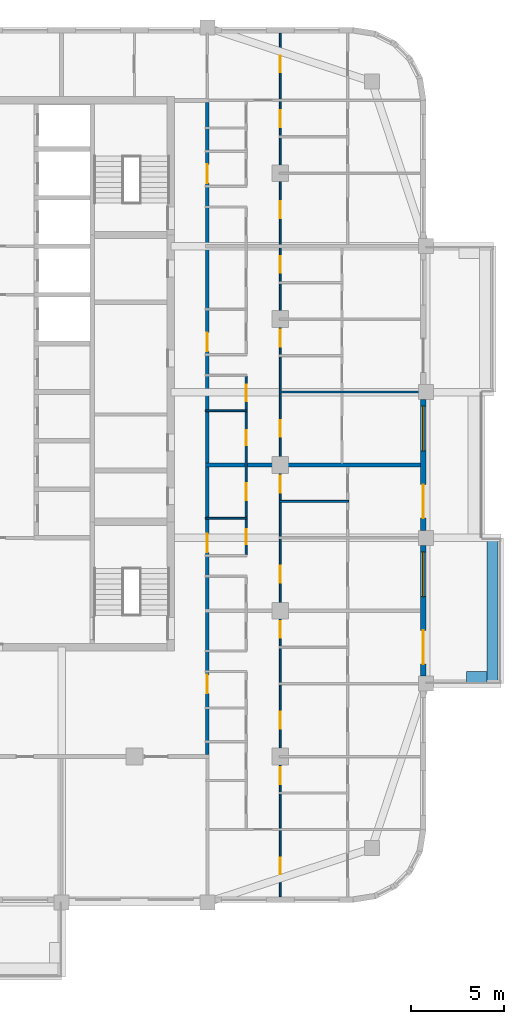
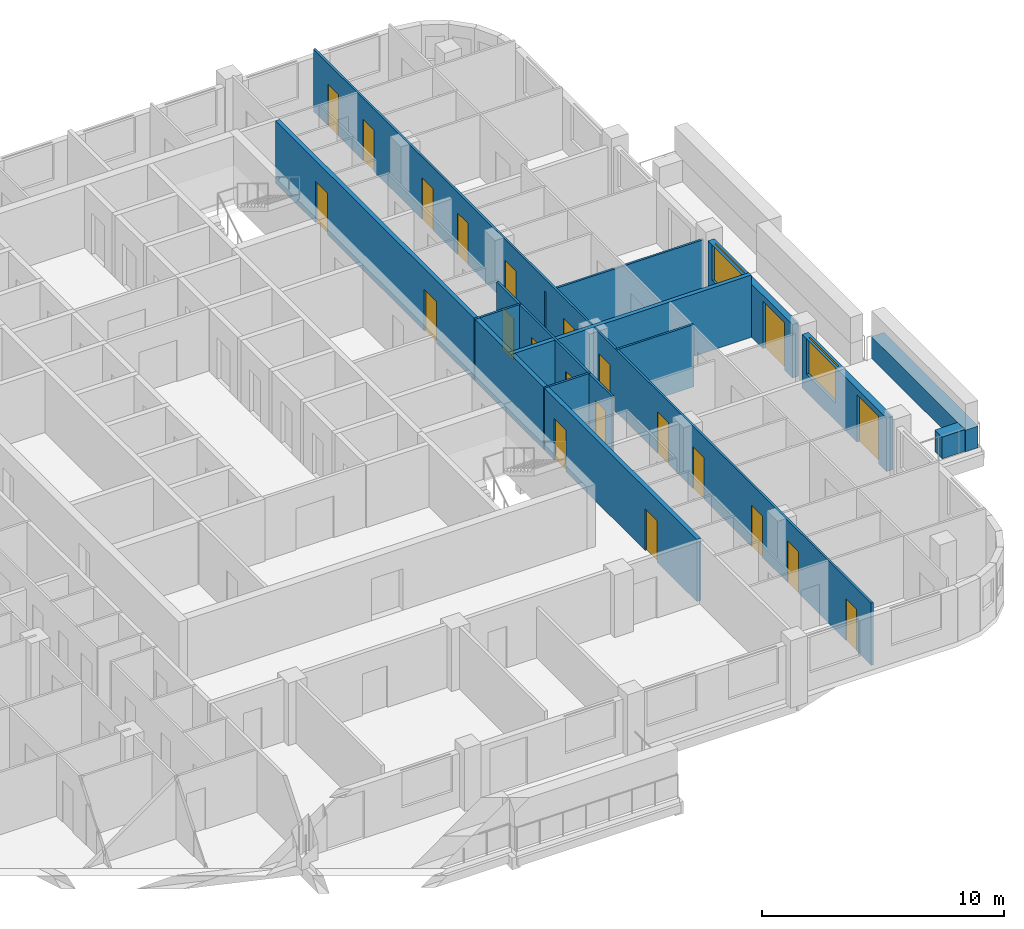
# One storey, part 7 of 16: 22 doors, 12 walls, 2 windows, 24 openings.
"""IFC4 building model written with IfcOpenShell, lengths in metres."""

from ifc_helpers import new_model, si_unit, direction, frame, frame_2d, origin, place, context, subcontext, project, spatial, rectangle, extrude, material, layer, layer_set, type_object, element, fill, save


model = new_model("IFC4")

# Units and contexts
model_context = context("Model", 3, precision=1e-05, world=origin(), true_north=direction((0.0, 1.0)))
body_context = subcontext(model_context, "Body", "Model", "MODEL_VIEW")
ifc_project = project(units=[si_unit("LENGTHUNIT", "METRE"), si_unit("AREAUNIT", "SQUARE_METRE"), si_unit("VOLUMEUNIT", "CUBIC_METRE"), si_unit("PLANEANGLEUNIT", "RADIAN"), si_unit("MASSUNIT", "GRAM", prefix="KILO")], contexts=[model_context])

# Site, building, storey
site_placement = place(None, origin())
site = spatial("IfcSite", under=ifc_project, at=site_placement, CompositionType="ELEMENT")
building_placement = place(site_placement, origin())
building = spatial("IfcBuilding", under=site, at=building_placement, Name="Ludao Terraces", CompositionType="ELEMENT")
storey_placement = place(building_placement, frame((0.0, 0.0, 217.699951171875)))
storey = spatial("IfcBuildingStorey", under=building, at=storey_placement, Name="L59", CompositionType="ELEMENT", Elevation=217.699951171875)

# Walls
ifc_material_1 = material(Name="Concrete C40", Category="concrete")
ifc_layer_1 = layer(ifc_material_1, 0.60009765625)
ifc_layer_set_1 = layer_set([ifc_layer_1], Name="ENV Planter trough 600")
wall_type_1 = type_object("IfcWallType", Name="ENV Planter trough 600", PredefinedType="USERDEFINED", material=ifc_layer_set_1)
wall_1_placement = place(storey_placement, frame((111.949951171875, 53.300048828125, 0.0), z_axis=(0.0, 0.0, 1.0), x_axis=(0.0, 1.0, 0.0)))
element("IfcWall", 1, at=wall_1_placement, inside=storey, type_object=wall_type_1, Name="PL-L59-E1", ObjectType="PLANTER", PredefinedType="USERDEFINED", context=body_context, shape_type="SweptSolid", body=[
    extrude(rectangle(XDim=7.800048828125, YDim=0.60009765625, at=frame_2d((3.89990234375, 0.0))), origin(), (0.0, 0.0, 1.0), 1.10009765625),
])
wall_2_placement = place(storey_placement, frame((111.64990234375, 53.64990234375, 0.0), z_axis=(0.0, 0.0, 1.0), x_axis=(-1.0, 0.0, 0.0)))
element("IfcWall", 2, at=wall_2_placement, inside=storey, type_object=wall_type_1, Name="PL-L59-E1-SA", ObjectType="PLANTER", PredefinedType="USERDEFINED", context=body_context, shape_type="SweptSolid", body=[
    extrude(rectangle(XDim=1.099853515625, YDim=0.60009765625, at=frame_2d((0.5498046875, 0.0))), origin(), (0.0, 0.0, 1.0), 1.10009765625),
])

# Wall, openings, door, window
ifc_material_2 = material(Name="Granite cladding", Category="masonry")
ifc_layer_2 = layer(ifc_material_2, 0.0400390625, Category="stone")
ifc_material_3 = material(Name="Mineral wool")
ifc_layer_3 = layer(ifc_material_3, 0.06005859375)
ifc_layer_4 = layer(ifc_material_1, 0.199951171875, Category="concrete")
ifc_layer_set_2 = layer_set([ifc_layer_2, ifc_layer_3, ifc_layer_4], Name="ENV Stone-clad wall 300")
wall_type_2 = type_object("IfcWallType", Name="ENV Stone-clad wall 300", PredefinedType="SOLIDWALL", material=ifc_layer_set_2)
wall_3_placement = place(storey_placement, frame((108.25, 53.699951171875, 0.0), z_axis=(0.0, 0.0, 1.0), x_axis=(0.0, 1.0, 0.0)))
wall_3 = element("IfcWall", 3, at=wall_3_placement, inside=storey, type_object=wall_type_2, Name="EW-L59-E2", PredefinedType="SOLIDWALL", context=body_context, shape_type="SweptSolid", body=[
    extrude(rectangle(XDim=7.0, YDim=0.300048828125, at=frame_2d((3.5, 0.0))), origin(), (0.0, 0.0, 1.0), 2.699951171875),
])
opening_1_placement = place(wall_3_placement, frame((0.64990234375, 0.0, 0.0)))
opening_1 = element("IfcOpeningElement", 4, at=opening_1_placement, cuts=wall_3, Name="Opening BD", PredefinedType="OPENING", context=body_context, shape_type="SweptSolid", body=[
    extrude(rectangle(XDim=1.800048828125, YDim=2.39990234375, at=frame_2d((0.89990234375, 1.199951171875))), frame((0.0, 0.16015625, 0.0), z_axis=(0.0, -1.0, 0.0), x_axis=(1.0, 0.0, 0.0)), (0.0, 0.0, 1.0), 0.320068359375),
])
opening_2_placement = place(wall_3_placement, frame((4.25, 0.0, 0.89990234375)))
opening_2 = element("IfcOpeningElement", 5, at=opening_2_placement, cuts=wall_3, Name="Opening W1", PredefinedType="OPENING", context=body_context, shape_type="SweptSolid", body=[
    extrude(rectangle(XDim=2.39990234375, YDim=1.800048828125, at=frame_2d((1.199951171875, 0.89990234375))), frame((0.0, 0.16015625, 0.0), z_axis=(0.0, -1.0, 0.0), x_axis=(1.0, 0.0, 0.0)), (0.0, 0.0, 1.0), 0.320068359375),
])
ifc_material_4 = material(Name="Aluminium glazed door", Category="aluminium")
ifc_layer_5 = layer(ifc_material_4, 0.06005859375)
ifc_layer_set_3 = layer_set([ifc_layer_5], Name="ENV Balcony door BD 1800x2400")
door_type_1 = type_object("IfcDoorType", Name="ENV Balcony door BD 1800x2400", OperationType="DOUBLE_DOOR_SINGLE_SWING", PredefinedType="DOOR", material=ifc_layer_set_3)
door_1_placement = place(opening_1_placement, origin())
door_1 = element("IfcDoor", 6, at=door_1_placement, inside=storey, type_object=door_type_1, Name="BD-L59-E2-1", OperationType="DOUBLE_DOOR_SINGLE_SWING", OverallHeight=2.39990234375, OverallWidth=1.800048828125, PredefinedType="DOOR", context=body_context, shape_type="SweptSolid", body=[
    extrude(rectangle(XDim=1.800048828125, YDim=2.39990234375, at=frame_2d((0.89990234375, 1.199951171875))), frame((0.0, 0.02490234375, 0.0), z_axis=(0.0, -1.0, 0.0), x_axis=(1.0, 0.0, 0.0)), (0.0, 0.0, 1.0), 0.050048828125),
])
fill(opening_1, door_1)
ifc_material_5 = material(Name="Clear glass in aluminium frame", Category="aluminium")
ifc_layer_6 = layer(ifc_material_5, 0.06005859375)
ifc_layer_set_4 = layer_set([ifc_layer_6], Name="ENV Window W1 2400x1800")
window_type = type_object("IfcWindowType", Name="ENV Window W1 2400x1800", PartitioningType="DOUBLE_PANEL_VERTICAL", PredefinedType="WINDOW", material=ifc_layer_set_4)
window_1_placement = place(opening_2_placement, origin())
window_1 = element("IfcWindow", 7, at=window_1_placement, inside=storey, type_object=window_type, Name="W-L59-E2-2", OverallHeight=1.800048828125, OverallWidth=2.39990234375, PartitioningType="DOUBLE_PANEL_VERTICAL", PredefinedType="WINDOW", context=body_context, shape_type="SweptSolid", body=[
    extrude(rectangle(XDim=2.39990234375, YDim=1.800048828125, at=frame_2d((1.199951171875, 0.89990234375))), frame((0.0, 0.030029296875, 0.0), z_axis=(0.0, -1.0, 0.0), x_axis=(1.0, 0.0, 0.0)), (0.0, 0.0, 1.0), 0.06005859375),
])
fill(opening_2, window_1)

wall_4_placement = place(storey_placement, frame((108.25, 61.5, 0.0), z_axis=(0.0, 0.0, 1.0), x_axis=(0.0, 1.0, 0.0)))
wall_4 = element("IfcWall", 8, at=wall_4_placement, inside=storey, type_object=wall_type_2, Name="EW-L59-E3", PredefinedType="SOLIDWALL", context=body_context, shape_type="SweptSolid", body=[
    extrude(rectangle(XDim=7.0, YDim=0.300048828125, at=frame_2d((3.5, 0.0))), origin(), (0.0, 0.0, 1.0), 2.699951171875),
])
opening_3_placement = place(wall_4_placement, frame((0.64990234375, 0.0, 0.0)))
opening_3 = element("IfcOpeningElement", 9, at=opening_3_placement, cuts=wall_4, Name="Opening BD", PredefinedType="OPENING", context=body_context, shape_type="SweptSolid", body=[
    extrude(rectangle(XDim=1.800048828125, YDim=2.39990234375, at=frame_2d((0.89990234375, 1.199951171875))), frame((0.0, 0.16015625, 0.0), z_axis=(0.0, -1.0, 0.0), x_axis=(1.0, 0.0, 0.0)), (0.0, 0.0, 1.0), 0.320068359375),
])
opening_4_placement = place(wall_4_placement, frame((4.25, 0.0, 0.89990234375)))
opening_4 = element("IfcOpeningElement", 10, at=opening_4_placement, cuts=wall_4, Name="Opening W1", PredefinedType="OPENING", context=body_context, shape_type="SweptSolid", body=[
    extrude(rectangle(XDim=2.39990234375, YDim=1.800048828125, at=frame_2d((1.199951171875, 0.89990234375))), frame((0.0, 0.16015625, 0.0), z_axis=(0.0, -1.0, 0.0), x_axis=(1.0, 0.0, 0.0)), (0.0, 0.0, 1.0), 0.320068359375),
])
door_2_placement = place(opening_3_placement, origin())
door_2 = element("IfcDoor", 11, at=door_2_placement, inside=storey, type_object=door_type_1, Name="BD-L59-E3-1", OperationType="DOUBLE_DOOR_SINGLE_SWING", OverallHeight=2.39990234375, OverallWidth=1.800048828125, PredefinedType="DOOR", context=body_context, shape_type="SweptSolid", body=[
    extrude(rectangle(XDim=1.800048828125, YDim=2.39990234375, at=frame_2d((0.89990234375, 1.199951171875))), frame((0.0, 0.02490234375, 0.0), z_axis=(0.0, -1.0, 0.0), x_axis=(1.0, 0.0, 0.0)), (0.0, 0.0, 1.0), 0.050048828125),
])
fill(opening_3, door_2)
window_2_placement = place(opening_4_placement, origin())
window_2 = element("IfcWindow", 12, at=window_2_placement, inside=storey, type_object=window_type, Name="W-L59-E3-2", OverallHeight=1.800048828125, OverallWidth=2.39990234375, PartitioningType="DOUBLE_PANEL_VERTICAL", PredefinedType="WINDOW", context=body_context, shape_type="SweptSolid", body=[
    extrude(rectangle(XDim=2.39990234375, YDim=1.800048828125, at=frame_2d((1.199951171875, 0.89990234375))), frame((0.0, 0.030029296875, 0.0), z_axis=(0.0, -1.0, 0.0), x_axis=(1.0, 0.0, 0.0)), (0.0, 0.0, 1.0), 0.06005859375),
])
fill(opening_4, window_2)

# Wall, openings, doors
ifc_material_6 = material(Name="Autoclaved aerated concrete block B06 A3.5", Category="concrete")
ifc_layer_7 = layer(ifc_material_6, 0.199951171875)
ifc_layer_set_5 = layer_set([ifc_layer_7], Name="INT Entrance wall 200")
wall_type_3 = type_object("IfcWallType", Name="INT Entrance wall 200", PredefinedType="PARTITIONING", material=ifc_layer_set_5)
wall_5_placement = place(storey_placement, frame((96.699951171875, 49.5, 0.0), z_axis=(0.0, 0.0, 1.0), x_axis=(0.0, 1.0, 0.0)))
wall_5 = element("IfcWall", 13, at=wall_5_placement, inside=storey, type_object=wall_type_3, Name="PW-L59-PW090", PredefinedType="PARTITIONING", context=body_context, shape_type="SweptSolid", body=[
    extrude(rectangle(XDim=34.900146484375, YDim=0.199951171875, at=frame_2d((17.4501953125, 0.0))), origin(), (0.0, 0.0, 1.0), 3.150146484375),
])
opening_5_placement = place(wall_5_placement, frame((3.275146484375, 0.0, 0.0)))
opening_5 = element("IfcOpeningElement", 14, at=opening_5_placement, cuts=wall_5, Name="Opening R21-028", PredefinedType="OPENING", context=body_context, shape_type="SweptSolid", body=[
    extrude(rectangle(XDim=1.0, YDim=2.10009765625, at=frame_2d((0.5, 1.050048828125))), frame((0.0, 0.10986328125, 0.0), z_axis=(0.0, -1.0, 0.0), x_axis=(1.0, 0.0, 0.0)), (0.0, 0.0, 1.0), 0.219970703125),
])
opening_6_placement = place(wall_5_placement, frame((10.8251953125, 0.0, 0.0)))
opening_6 = element("IfcOpeningElement", 15, at=opening_6_placement, cuts=wall_5, Name="Opening R21-049", PredefinedType="OPENING", context=body_context, shape_type="SweptSolid", body=[
    extrude(rectangle(XDim=1.0, YDim=2.10009765625, at=frame_2d((0.5, 1.050048828125))), frame((0.0, 0.10986328125, 0.0), z_axis=(0.0, -1.0, 0.0), x_axis=(1.0, 0.0, 0.0)), (0.0, 0.0, 1.0), 0.219970703125),
])
opening_7_placement = place(wall_5_placement, frame((21.5751953125, 0.0, 0.0)))
opening_7 = element("IfcOpeningElement", 16, at=opening_7_placement, cuts=wall_5, Name="Opening R21-083", PredefinedType="OPENING", context=body_context, shape_type="SweptSolid", body=[
    extrude(rectangle(XDim=1.0, YDim=2.10009765625, at=frame_2d((0.5, 1.050048828125))), frame((0.0, 0.10986328125, 0.0), z_axis=(0.0, -1.0, 0.0), x_axis=(1.0, 0.0, 0.0)), (0.0, 0.0, 1.0), 0.219970703125),
])
opening_8_placement = place(wall_5_placement, frame((30.5751953125, 0.0, 0.0)))
opening_8 = element("IfcOpeningElement", 17, at=opening_8_placement, cuts=wall_5, Name="Opening R21-118", PredefinedType="OPENING", context=body_context, shape_type="SweptSolid", body=[
    extrude(rectangle(XDim=1.0, YDim=2.10009765625, at=frame_2d((0.5, 1.050048828125))), frame((0.0, 0.10986328125, 0.0), z_axis=(0.0, -1.0, 0.0), x_axis=(1.0, 0.0, 0.0)), (0.0, 0.0, 1.0), 0.219970703125),
])
ifc_material_7 = material(Name="Steel Q235", Category="steel")
door_type_2 = type_object("IfcDoorType", Name="INT Flat entrance door 1000", OperationType="SINGLE_SWING_LEFT", PredefinedType="DOOR", material=ifc_material_7)
door_3_placement = place(opening_5_placement, origin())
door_3 = element("IfcDoor", 18, at=door_3_placement, inside=storey, type_object=door_type_2, Name="DOOR 028", OperationType="SINGLE_SWING_RIGHT", OverallHeight=2.10009765625, OverallWidth=1.0, PredefinedType="DOOR", context=body_context, shape_type="SweptSolid", body=[
    extrude(rectangle(XDim=1.0, YDim=2.10009765625, at=frame_2d((0.5, 1.050048828125))), frame((0.0, 0.02490234375, 0.0), z_axis=(0.0, -1.0, 0.0), x_axis=(1.0, 0.0, 0.0)), (0.0, 0.0, 1.0), 0.050048828125),
])
fill(opening_5, door_3)
door_4_placement = place(opening_6_placement, origin())
door_4 = element("IfcDoor", 19, at=door_4_placement, inside=storey, type_object=door_type_2, Name="DOOR 049", OperationType="SINGLE_SWING_LEFT", OverallHeight=2.10009765625, OverallWidth=1.0, PredefinedType="DOOR", context=body_context, shape_type="SweptSolid", body=[
    extrude(rectangle(XDim=1.0, YDim=2.10009765625, at=frame_2d((0.5, 1.050048828125))), frame((0.0, 0.02490234375, 0.0), z_axis=(0.0, -1.0, 0.0), x_axis=(1.0, 0.0, 0.0)), (0.0, 0.0, 1.0), 0.050048828125),
])
fill(opening_6, door_4)
door_5_placement = place(opening_7_placement, origin())
door_5 = element("IfcDoor", 20, at=door_5_placement, inside=storey, type_object=door_type_2, Name="DOOR 083", OperationType="SINGLE_SWING_LEFT", OverallHeight=2.10009765625, OverallWidth=1.0, PredefinedType="DOOR", context=body_context, shape_type="SweptSolid", body=[
    extrude(rectangle(XDim=1.0, YDim=2.10009765625, at=frame_2d((0.5, 1.050048828125))), frame((0.0, 0.02490234375, 0.0), z_axis=(0.0, -1.0, 0.0), x_axis=(1.0, 0.0, 0.0)), (0.0, 0.0, 1.0), 0.050048828125),
])
fill(opening_7, door_5)
door_6_placement = place(opening_8_placement, origin())
door_6 = element("IfcDoor", 21, at=door_6_placement, inside=storey, type_object=door_type_2, Name="DOOR 118", OperationType="SINGLE_SWING_LEFT", OverallHeight=2.10009765625, OverallWidth=1.0, PredefinedType="DOOR", context=body_context, shape_type="SweptSolid", body=[
    extrude(rectangle(XDim=1.0, YDim=2.10009765625, at=frame_2d((0.5, 1.050048828125))), frame((0.0, 0.02490234375, 0.0), z_axis=(0.0, -1.0, 0.0), x_axis=(1.0, 0.0, 0.0)), (0.0, 0.0, 1.0), 0.050048828125),
])
fill(opening_8, door_6)

# Walls
ifc_material_8 = material(Name="Gypsum plasterboard", Category="gypsum")
ifc_layer_8 = layer(ifc_material_8, 0.012451171875, Category="gypsum")
ifc_layer_9 = layer(ifc_material_3, 0.06005859375, Name="insulation")
ifc_layer_10 = layer(ifc_material_7, 0.014892578125, Name="stud")
ifc_layer_11 = layer(ifc_material_8, 0.012451171875, Category="gypsum")
ifc_layer_set_6 = layer_set([ifc_layer_8, ifc_layer_9, ifc_layer_10, ifc_layer_11], Name="INT Partition 100")
wall_type_4 = type_object("IfcWallType", Name="INT Partition 100", PredefinedType="PARTITIONING", material=ifc_layer_set_6)
wall_6_placement = place(storey_placement, frame((96.60009765625, 62.14990234375, 0.0), z_axis=(0.0, 0.0, 1.0), x_axis=(1.0, 0.0, 0.0)))
element("IfcWall", 22, at=wall_6_placement, inside=storey, type_object=wall_type_4, Name="PW-L59-PW029", PredefinedType="PARTITIONING", context=body_context, shape_type="SweptSolid", body=[
    extrude(rectangle(XDim=2.219970703125, YDim=0.10009765625, at=frame_2d((1.10986328125, 0.0))), origin(), (0.0, 0.0, 1.0), 3.150146484375),
])
wall_7_placement = place(storey_placement, frame((100.550048828125, 63.050048828125, 0.0), z_axis=(0.0, 0.0, 1.0), x_axis=(1.0, 0.0, 0.0)))
element("IfcWall", 23, at=wall_7_placement, inside=storey, type_object=wall_type_4, Name="PW-L59-PW030", PredefinedType="PARTITIONING", context=body_context, shape_type="SweptSolid", body=[
    extrude(rectangle(XDim=3.699951171875, YDim=0.10009765625, at=frame_2d((1.85009765625, 0.0))), origin(), (0.0, 0.0, 1.0), 3.150146484375),
])
wall_8_placement = place(storey_placement, frame((96.60009765625, 67.89990234375, 0.0), z_axis=(0.0, 0.0, 1.0), x_axis=(1.0, 0.0, 0.0)))
element("IfcWall", 24, at=wall_8_placement, inside=storey, type_object=wall_type_4, Name="PW-L59-PW036", PredefinedType="PARTITIONING", context=body_context, shape_type="SweptSolid", body=[
    extrude(rectangle(XDim=2.219970703125, YDim=0.10009765625, at=frame_2d((1.10986328125, 0.0))), origin(), (0.0, 0.0, 1.0), 3.150146484375),
])
wall_9_placement = place(storey_placement, frame((100.550048828125, 68.89990234375, 0.0), z_axis=(0.0, 0.0, 1.0), x_axis=(1.0, 0.0, 0.0)))
element("IfcWall", 25, at=wall_9_placement, inside=storey, type_object=wall_type_4, Name="PW-L59-PW039", PredefinedType="PARTITIONING", context=body_context, shape_type="SweptSolid", body=[
    extrude(rectangle(XDim=7.550048828125, YDim=0.10009765625, at=frame_2d((3.77490234375, 0.0))), origin(), (0.0, 0.0, 1.0), 2.550048828125),
])

# Wall, openings, doors
wall_10_placement = place(storey_placement, frame((98.77001953125, 60.2001953125, 0.0), z_axis=(0.0, 0.0, 1.0), x_axis=(0.0, 1.0, 0.0)))
wall_10 = element("IfcWall", 26, at=wall_10_placement, inside=storey, type_object=wall_type_4, Name="PW-L59-PW094", PredefinedType="PARTITIONING", context=body_context, shape_type="SweptSolid", body=[
    extrude(rectangle(XDim=9.5498046875, YDim=0.10009765625, at=frame_2d((4.77490234375, 0.0))), origin(), (0.0, 0.0, 1.0), 3.150146484375),
])
opening_9_placement = place(wall_10_placement, frame((0.5498046875, 0.0, 0.0)))
opening_9 = element("IfcOpeningElement", 27, at=opening_9_placement, cuts=wall_10, Name="Opening R21-051", PredefinedType="OPENING", context=body_context, shape_type="SweptSolid", body=[
    extrude(rectangle(XDim=0.800048828125, YDim=2.10009765625, at=frame_2d((0.39990234375, 1.050048828125))), frame((0.0, 0.06005859375, 0.0), z_axis=(0.0, -1.0, 0.0), x_axis=(1.0, 0.0, 0.0)), (0.0, 0.0, 1.0), 0.1201171875),
])
opening_10_placement = place(wall_10_placement, frame((2.9248046875, 0.0, 0.0)))
opening_10 = element("IfcOpeningElement", 28, at=opening_10_placement, cuts=wall_10, Name="Opening R21-060", PredefinedType="OPENING", context=body_context, shape_type="SweptSolid", body=[
    extrude(rectangle(XDim=0.89990234375, YDim=2.10009765625, at=frame_2d((0.449951171875, 1.050048828125))), frame((0.0, 0.06005859375, 0.0), z_axis=(0.0, -1.0, 0.0), x_axis=(1.0, 0.0, 0.0)), (0.0, 0.0, 1.0), 0.1201171875),
])
opening_11_placement = place(wall_10_placement, frame((5.849853515625, 0.0, 0.0)))
opening_11 = element("IfcOpeningElement", 29, at=opening_11_placement, cuts=wall_10, Name="Opening R21-067", PredefinedType="OPENING", context=body_context, shape_type="SweptSolid", body=[
    extrude(rectangle(XDim=0.800048828125, YDim=2.10009765625, at=frame_2d((0.39990234375, 1.050048828125))), frame((0.0, 0.06005859375, 0.0), z_axis=(0.0, -1.0, 0.0), x_axis=(1.0, 0.0, 0.0)), (0.0, 0.0, 1.0), 0.1201171875),
])
opening_12_placement = place(wall_10_placement, frame((8.199951171875, 0.0, 0.0)))
opening_12 = element("IfcOpeningElement", 30, at=opening_12_placement, cuts=wall_10, Name="Opening R21-074", PredefinedType="OPENING", context=body_context, shape_type="SweptSolid", body=[
    extrude(rectangle(XDim=0.89990234375, YDim=2.10009765625, at=frame_2d((0.449951171875, 1.050048828125))), frame((0.0, 0.06005859375, 0.0), z_axis=(0.0, -1.0, 0.0), x_axis=(1.0, 0.0, 0.0)), (0.0, 0.0, 1.0), 0.1201171875),
])
ifc_material_9 = material(Name="Timber door leaf", Category="wood")
door_type_3 = type_object("IfcDoorType", Name="INT Bathroom door 900", OperationType="SINGLE_SWING_LEFT", PredefinedType="DOOR", material=ifc_material_9)
door_7_placement = place(opening_12_placement, origin())
door_7 = element("IfcDoor", 31, at=door_7_placement, inside=storey, type_object=door_type_3, Name="DOOR 074", OperationType="SINGLE_SWING_LEFT", OverallHeight=2.10009765625, OverallWidth=0.89990234375, PredefinedType="DOOR", context=body_context, shape_type="SweptSolid", body=[
    extrude(rectangle(XDim=0.89990234375, YDim=2.10009765625, at=frame_2d((0.449951171875, 1.050048828125))), frame((0.0, 0.02490234375, 0.0), z_axis=(0.0, -1.0, 0.0), x_axis=(1.0, 0.0, 0.0)), (0.0, 0.0, 1.0), 0.050048828125),
])
fill(opening_12, door_7)
door_type_4 = type_object("IfcDoorType", Name="INT Room door 900", OperationType="SINGLE_SWING_LEFT", PredefinedType="DOOR", material=ifc_material_9)
door_8_placement = place(opening_10_placement, origin())
door_8 = element("IfcDoor", 32, at=door_8_placement, inside=storey, type_object=door_type_4, Name="DOOR 060", OperationType="SINGLE_SWING_LEFT", OverallHeight=2.10009765625, OverallWidth=0.89990234375, PredefinedType="DOOR", context=body_context, shape_type="SweptSolid", body=[
    extrude(rectangle(XDim=0.89990234375, YDim=2.10009765625, at=frame_2d((0.449951171875, 1.050048828125))), frame((0.0, 0.02490234375, 0.0), z_axis=(0.0, -1.0, 0.0), x_axis=(1.0, 0.0, 0.0)), (0.0, 0.0, 1.0), 0.050048828125),
])
fill(opening_10, door_8)
door_type_5 = type_object("IfcDoorType", Name="INT Store door 800", OperationType="SINGLE_SWING_LEFT", PredefinedType="DOOR", material=ifc_material_9)
door_9_placement = place(opening_9_placement, origin())
door_9 = element("IfcDoor", 33, at=door_9_placement, inside=storey, type_object=door_type_5, Name="DOOR 051", OperationType="SINGLE_SWING_LEFT", OverallHeight=2.10009765625, OverallWidth=0.800048828125, PredefinedType="DOOR", context=body_context, shape_type="SweptSolid", body=[
    extrude(rectangle(XDim=0.800048828125, YDim=2.10009765625, at=frame_2d((0.39990234375, 1.050048828125))), frame((0.0, 0.02490234375, 0.0), z_axis=(0.0, -1.0, 0.0), x_axis=(1.0, 0.0, 0.0)), (0.0, 0.0, 1.0), 0.050048828125),
])
fill(opening_9, door_9)
door_10_placement = place(opening_11_placement, origin())
door_10 = element("IfcDoor", 34, at=door_10_placement, inside=storey, type_object=door_type_5, Name="DOOR 067", OperationType="SINGLE_SWING_LEFT", OverallHeight=2.10009765625, OverallWidth=0.800048828125, PredefinedType="DOOR", context=body_context, shape_type="SweptSolid", body=[
    extrude(rectangle(XDim=0.800048828125, YDim=2.10009765625, at=frame_2d((0.39990234375, 1.050048828125))), frame((0.0, 0.02490234375, 0.0), z_axis=(0.0, -1.0, 0.0), x_axis=(1.0, 0.0, 0.0)), (0.0, 0.0, 1.0), 0.050048828125),
])
fill(opening_11, door_10)

wall_11_placement = place(storey_placement, frame((100.60009765625, 41.900146484375, 0.0), z_axis=(0.0, 0.0, 1.0), x_axis=(0.0, 1.0, 0.0)))
wall_11 = element("IfcWall", 35, at=wall_11_placement, inside=storey, type_object=wall_type_4, Name="PW-L59-PW097", PredefinedType="PARTITIONING", context=body_context, shape_type="SweptSolid", body=[
    extrude(rectangle(XDim=46.199951171875, YDim=0.10009765625, at=frame_2d((23.10009765625, 0.0))), origin(), (0.0, 0.0, 1.0), 3.150146484375),
])
opening_13_placement = place(wall_11_placement, frame((1.199951171875, 0.0, 0.0)))
opening_13 = element("IfcOpeningElement", 36, at=opening_13_placement, cuts=wall_11, Name="Opening R21-003", PredefinedType="OPENING", context=body_context, shape_type="SweptSolid", body=[
    extrude(rectangle(XDim=0.89990234375, YDim=2.10009765625, at=frame_2d((0.449951171875, 1.050048828125))), frame((0.0, 0.06005859375, 0.0), z_axis=(0.0, -1.0, 0.0), x_axis=(1.0, 0.0, 0.0)), (0.0, 0.0, 1.0), 0.1201171875),
])
opening_14_placement = place(wall_11_placement, frame((6.02490234375, 0.0, 0.0)))
opening_14 = element("IfcOpeningElement", 37, at=opening_14_placement, cuts=wall_11, Name="Opening R21-012", PredefinedType="OPENING", context=body_context, shape_type="SweptSolid", body=[
    extrude(rectangle(XDim=0.89990234375, YDim=2.10009765625, at=frame_2d((0.449951171875, 1.050048828125))), frame((0.0, 0.06005859375, 0.0), z_axis=(0.0, -1.0, 0.0), x_axis=(1.0, 0.0, 0.0)), (0.0, 0.0, 1.0), 0.1201171875),
])
opening_15_placement = place(wall_11_placement, frame((9.0, 0.0, 0.0)))
opening_15 = element("IfcOpeningElement", 38, at=opening_15_placement, cuts=wall_11, Name="Opening R21-024", PredefinedType="OPENING", context=body_context, shape_type="SweptSolid", body=[
    extrude(rectangle(XDim=0.89990234375, YDim=2.10009765625, at=frame_2d((0.449951171875, 1.050048828125))), frame((0.0, 0.06005859375, 0.0), z_axis=(0.0, -1.0, 0.0), x_axis=(1.0, 0.0, 0.0)), (0.0, 0.0, 1.0), 0.1201171875),
])
opening_16_placement = place(wall_11_placement, frame((13.85009765625, 0.0, 0.0)))
opening_16 = element("IfcOpeningElement", 39, at=opening_16_placement, cuts=wall_11, Name="Opening R21-036", PredefinedType="OPENING", context=body_context, shape_type="SweptSolid", body=[
    extrude(rectangle(XDim=0.89990234375, YDim=2.10009765625, at=frame_2d((0.449951171875, 1.050048828125))), frame((0.0, 0.06005859375, 0.0), z_axis=(0.0, -1.0, 0.0), x_axis=(1.0, 0.0, 0.0)), (0.0, 0.0, 1.0), 0.1201171875),
])
opening_17_placement = place(wall_11_placement, frame((16.800048828125, 0.0, 0.0)))
opening_17 = element("IfcOpeningElement", 40, at=opening_17_placement, cuts=wall_11, Name="Opening R21-044", PredefinedType="OPENING", context=body_context, shape_type="SweptSolid", body=[
    extrude(rectangle(XDim=0.89990234375, YDim=2.10009765625, at=frame_2d((0.449951171875, 1.050048828125))), frame((0.0, 0.06005859375, 0.0), z_axis=(0.0, -1.0, 0.0), x_axis=(1.0, 0.0, 0.0)), (0.0, 0.0, 1.0), 0.1201171875),
])
opening_18_placement = place(wall_11_placement, frame((21.625, 0.0, 0.0)))
opening_18 = element("IfcOpeningElement", 41, at=opening_18_placement, cuts=wall_11, Name="Opening R21-061", PredefinedType="OPENING", context=body_context, shape_type="SweptSolid", body=[
    extrude(rectangle(XDim=0.89990234375, YDim=2.10009765625, at=frame_2d((0.449951171875, 1.050048828125))), frame((0.0, 0.06005859375, 0.0), z_axis=(0.0, -1.0, 0.0), x_axis=(1.0, 0.0, 0.0)), (0.0, 0.0, 1.0), 0.1201171875),
])
opening_19_placement = place(wall_11_placement, frame((24.60009765625, 0.0, 0.0)))
opening_19 = element("IfcOpeningElement", 42, at=opening_19_placement, cuts=wall_11, Name="Opening R21-070", PredefinedType="OPENING", context=body_context, shape_type="SweptSolid", body=[
    extrude(rectangle(XDim=0.89990234375, YDim=2.10009765625, at=frame_2d((0.449951171875, 1.050048828125))), frame((0.0, 0.06005859375, 0.0), z_axis=(0.0, -1.0, 0.0), x_axis=(1.0, 0.0, 0.0)), (0.0, 0.0, 1.0), 0.1201171875),
])
opening_20_placement = place(wall_11_placement, frame((29.425048828125, 0.0, 0.0)))
opening_20 = element("IfcOpeningElement", 43, at=opening_20_placement, cuts=wall_11, Name="Opening R21-086", PredefinedType="OPENING", context=body_context, shape_type="SweptSolid", body=[
    extrude(rectangle(XDim=0.89990234375, YDim=2.10009765625, at=frame_2d((0.449951171875, 1.050048828125))), frame((0.0, 0.06005859375, 0.0), z_axis=(0.0, -1.0, 0.0), x_axis=(1.0, 0.0, 0.0)), (0.0, 0.0, 1.0), 0.1201171875),
])
opening_21_placement = place(wall_11_placement, frame((33.375, 0.0, 0.0)))
opening_21 = element("IfcOpeningElement", 44, at=opening_21_placement, cuts=wall_11, Name="Opening R21-103", PredefinedType="OPENING", context=body_context, shape_type="SweptSolid", body=[
    extrude(rectangle(XDim=0.89990234375, YDim=2.10009765625, at=frame_2d((0.449951171875, 1.050048828125))), frame((0.0, 0.06005859375, 0.0), z_axis=(0.0, -1.0, 0.0), x_axis=(1.0, 0.0, 0.0)), (0.0, 0.0, 1.0), 0.1201171875),
])
opening_22_placement = place(wall_11_placement, frame((36.300048828125, 0.0, 0.0)))
opening_22 = element("IfcOpeningElement", 45, at=opening_22_placement, cuts=wall_11, Name="Opening R21-114", PredefinedType="OPENING", context=body_context, shape_type="SweptSolid", body=[
    extrude(rectangle(XDim=0.89990234375, YDim=2.10009765625, at=frame_2d((0.449951171875, 1.050048828125))), frame((0.0, 0.06005859375, 0.0), z_axis=(0.0, -1.0, 0.0), x_axis=(1.0, 0.0, 0.0)), (0.0, 0.0, 1.0), 0.1201171875),
])
opening_23_placement = place(wall_11_placement, frame((41.175048828125, 0.0, 0.0)))
opening_23 = element("IfcOpeningElement", 46, at=opening_23_placement, cuts=wall_11, Name="Opening R21-130", PredefinedType="OPENING", context=body_context, shape_type="SweptSolid", body=[
    extrude(rectangle(XDim=0.89990234375, YDim=2.10009765625, at=frame_2d((0.449951171875, 1.050048828125))), frame((0.0, 0.06005859375, 0.0), z_axis=(0.0, -1.0, 0.0), x_axis=(1.0, 0.0, 0.0)), (0.0, 0.0, 1.0), 0.1201171875),
])
opening_24_placement = place(wall_11_placement, frame((44.10009765625, 0.0, 0.0)))
opening_24 = element("IfcOpeningElement", 47, at=opening_24_placement, cuts=wall_11, Name="Opening R21-143", PredefinedType="OPENING", context=body_context, shape_type="SweptSolid", body=[
    extrude(rectangle(XDim=0.89990234375, YDim=2.10009765625, at=frame_2d((0.449951171875, 1.050048828125))), frame((0.0, 0.06005859375, 0.0), z_axis=(0.0, -1.0, 0.0), x_axis=(1.0, 0.0, 0.0)), (0.0, 0.0, 1.0), 0.1201171875),
])
door_11_placement = place(opening_13_placement, origin())
door_11 = element("IfcDoor", 48, at=door_11_placement, inside=storey, type_object=door_type_4, Name="DOOR 003", OperationType="SINGLE_SWING_RIGHT", OverallHeight=2.10009765625, OverallWidth=0.89990234375, PredefinedType="DOOR", context=body_context, shape_type="SweptSolid", body=[
    extrude(rectangle(XDim=0.89990234375, YDim=2.10009765625, at=frame_2d((0.449951171875, 1.050048828125))), frame((0.0, 0.02490234375, 0.0), z_axis=(0.0, -1.0, 0.0), x_axis=(1.0, 0.0, 0.0)), (0.0, 0.0, 1.0), 0.050048828125),
])
fill(opening_13, door_11)
door_12_placement = place(opening_14_placement, origin())
door_12 = element("IfcDoor", 49, at=door_12_placement, inside=storey, type_object=door_type_4, Name="DOOR 012", OperationType="SINGLE_SWING_RIGHT", OverallHeight=2.10009765625, OverallWidth=0.89990234375, PredefinedType="DOOR", context=body_context, shape_type="SweptSolid", body=[
    extrude(rectangle(XDim=0.89990234375, YDim=2.10009765625, at=frame_2d((0.449951171875, 1.050048828125))), frame((0.0, 0.02490234375, 0.0), z_axis=(0.0, -1.0, 0.0), x_axis=(1.0, 0.0, 0.0)), (0.0, 0.0, 1.0), 0.050048828125),
])
fill(opening_14, door_12)
door_13_placement = place(opening_15_placement, origin())
door_13 = element("IfcDoor", 50, at=door_13_placement, inside=storey, type_object=door_type_4, Name="DOOR 024", OperationType="SINGLE_SWING_RIGHT", OverallHeight=2.10009765625, OverallWidth=0.89990234375, PredefinedType="DOOR", context=body_context, shape_type="SweptSolid", body=[
    extrude(rectangle(XDim=0.89990234375, YDim=2.10009765625, at=frame_2d((0.449951171875, 1.050048828125))), frame((0.0, 0.02490234375, 0.0), z_axis=(0.0, -1.0, 0.0), x_axis=(1.0, 0.0, 0.0)), (0.0, 0.0, 1.0), 0.050048828125),
])
fill(opening_15, door_13)
door_14_placement = place(opening_16_placement, origin())
door_14 = element("IfcDoor", 51, at=door_14_placement, inside=storey, type_object=door_type_4, Name="DOOR 036", OperationType="SINGLE_SWING_LEFT", OverallHeight=2.10009765625, OverallWidth=0.89990234375, PredefinedType="DOOR", context=body_context, shape_type="SweptSolid", body=[
    extrude(rectangle(XDim=0.89990234375, YDim=2.10009765625, at=frame_2d((0.449951171875, 1.050048828125))), frame((0.0, 0.02490234375, 0.0), z_axis=(0.0, -1.0, 0.0), x_axis=(1.0, 0.0, 0.0)), (0.0, 0.0, 1.0), 0.050048828125),
])
fill(opening_16, door_14)
door_15_placement = place(opening_17_placement, origin())
door_15 = element("IfcDoor", 52, at=door_15_placement, inside=storey, type_object=door_type_4, Name="DOOR 044", OperationType="SINGLE_SWING_LEFT", OverallHeight=2.10009765625, OverallWidth=0.89990234375, PredefinedType="DOOR", context=body_context, shape_type="SweptSolid", body=[
    extrude(rectangle(XDim=0.89990234375, YDim=2.10009765625, at=frame_2d((0.449951171875, 1.050048828125))), frame((0.0, 0.02490234375, 0.0), z_axis=(0.0, -1.0, 0.0), x_axis=(1.0, 0.0, 0.0)), (0.0, 0.0, 1.0), 0.050048828125),
])
fill(opening_17, door_15)
door_16_placement = place(opening_18_placement, origin())
door_16 = element("IfcDoor", 53, at=door_16_placement, inside=storey, type_object=door_type_4, Name="DOOR 061", OperationType="SINGLE_SWING_RIGHT", OverallHeight=2.10009765625, OverallWidth=0.89990234375, PredefinedType="DOOR", context=body_context, shape_type="SweptSolid", body=[
    extrude(rectangle(XDim=0.89990234375, YDim=2.10009765625, at=frame_2d((0.449951171875, 1.050048828125))), frame((0.0, 0.02490234375, 0.0), z_axis=(0.0, -1.0, 0.0), x_axis=(1.0, 0.0, 0.0)), (0.0, 0.0, 1.0), 0.050048828125),
])
fill(opening_18, door_16)
door_17_placement = place(opening_19_placement, origin())
door_17 = element("IfcDoor", 54, at=door_17_placement, inside=storey, type_object=door_type_4, Name="DOOR 070", OperationType="SINGLE_SWING_LEFT", OverallHeight=2.10009765625, OverallWidth=0.89990234375, PredefinedType="DOOR", context=body_context, shape_type="SweptSolid", body=[
    extrude(rectangle(XDim=0.89990234375, YDim=2.10009765625, at=frame_2d((0.449951171875, 1.050048828125))), frame((0.0, 0.02490234375, 0.0), z_axis=(0.0, -1.0, 0.0), x_axis=(1.0, 0.0, 0.0)), (0.0, 0.0, 1.0), 0.050048828125),
])
fill(opening_19, door_17)
door_18_placement = place(opening_20_placement, origin())
door_18 = element("IfcDoor", 55, at=door_18_placement, inside=storey, type_object=door_type_4, Name="DOOR 086", OperationType="SINGLE_SWING_RIGHT", OverallHeight=2.10009765625, OverallWidth=0.89990234375, PredefinedType="DOOR", context=body_context, shape_type="SweptSolid", body=[
    extrude(rectangle(XDim=0.89990234375, YDim=2.10009765625, at=frame_2d((0.449951171875, 1.050048828125))), frame((0.0, 0.02490234375, 0.0), z_axis=(0.0, -1.0, 0.0), x_axis=(1.0, 0.0, 0.0)), (0.0, 0.0, 1.0), 0.050048828125),
])
fill(opening_20, door_18)
door_19_placement = place(opening_21_placement, origin())
door_19 = element("IfcDoor", 56, at=door_19_placement, inside=storey, type_object=door_type_4, Name="DOOR 103", OperationType="SINGLE_SWING_LEFT", OverallHeight=2.10009765625, OverallWidth=0.89990234375, PredefinedType="DOOR", context=body_context, shape_type="SweptSolid", body=[
    extrude(rectangle(XDim=0.89990234375, YDim=2.10009765625, at=frame_2d((0.449951171875, 1.050048828125))), frame((0.0, 0.02490234375, 0.0), z_axis=(0.0, -1.0, 0.0), x_axis=(1.0, 0.0, 0.0)), (0.0, 0.0, 1.0), 0.050048828125),
])
fill(opening_21, door_19)
door_20_placement = place(opening_22_placement, origin())
door_20 = element("IfcDoor", 57, at=door_20_placement, inside=storey, type_object=door_type_4, Name="DOOR 114", OperationType="SINGLE_SWING_LEFT", OverallHeight=2.10009765625, OverallWidth=0.89990234375, PredefinedType="DOOR", context=body_context, shape_type="SweptSolid", body=[
    extrude(rectangle(XDim=0.89990234375, YDim=2.10009765625, at=frame_2d((0.449951171875, 1.050048828125))), frame((0.0, 0.02490234375, 0.0), z_axis=(0.0, -1.0, 0.0), x_axis=(1.0, 0.0, 0.0)), (0.0, 0.0, 1.0), 0.050048828125),
])
fill(opening_22, door_20)
door_21_placement = place(opening_23_placement, origin())
door_21 = element("IfcDoor", 58, at=door_21_placement, inside=storey, type_object=door_type_4, Name="DOOR 130", OperationType="SINGLE_SWING_RIGHT", OverallHeight=2.10009765625, OverallWidth=0.89990234375, PredefinedType="DOOR", context=body_context, shape_type="SweptSolid", body=[
    extrude(rectangle(XDim=0.89990234375, YDim=2.10009765625, at=frame_2d((0.449951171875, 1.050048828125))), frame((0.0, 0.02490234375, 0.0), z_axis=(0.0, -1.0, 0.0), x_axis=(1.0, 0.0, 0.0)), (0.0, 0.0, 1.0), 0.050048828125),
])
fill(opening_23, door_21)
door_22_placement = place(opening_24_placement, origin())
door_22 = element("IfcDoor", 59, at=door_22_placement, inside=storey, type_object=door_type_4, Name="DOOR 143", OperationType="SINGLE_SWING_LEFT", OverallHeight=2.10009765625, OverallWidth=0.89990234375, PredefinedType="DOOR", context=body_context, shape_type="SweptSolid", body=[
    extrude(rectangle(XDim=0.89990234375, YDim=2.10009765625, at=frame_2d((0.449951171875, 1.050048828125))), frame((0.0, 0.02490234375, 0.0), z_axis=(0.0, -1.0, 0.0), x_axis=(1.0, 0.0, 0.0)), (0.0, 0.0, 1.0), 0.050048828125),
])
fill(opening_24, door_22)

# Wall
ifc_layer_12 = layer(ifc_material_6, 0.199951171875)
ifc_layer_set_7 = layer_set([ifc_layer_12], Name="INT Party wall 200")
wall_type_5 = type_object("IfcWallType", Name="INT Party wall 200", PredefinedType="PARTITIONING", material=ifc_layer_set_7)
wall_12_placement = place(storey_placement, frame((96.60009765625, 65.0, 0.0), z_axis=(0.0, 0.0, 1.0), x_axis=(1.0, 0.0, 0.0)))
element("IfcWall", 60, at=wall_12_placement, inside=storey, type_object=wall_type_5, Name="PW-L59-PW033", PredefinedType="PARTITIONING", context=body_context, shape_type="SweptSolid", body=[
    extrude(rectangle(XDim=11.5, YDim=0.199951171875, at=frame_2d((5.75, 0.0))), origin(), (0.0, 0.0, 1.0), 3.150146484375),
])

save(model, "model.ifc")
